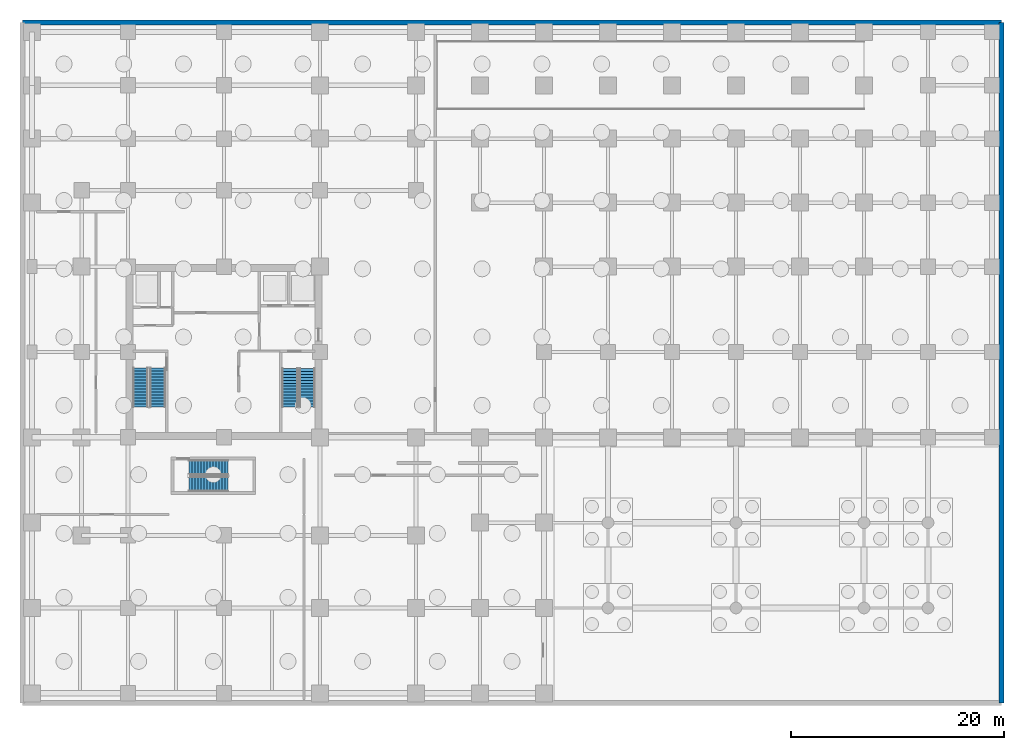
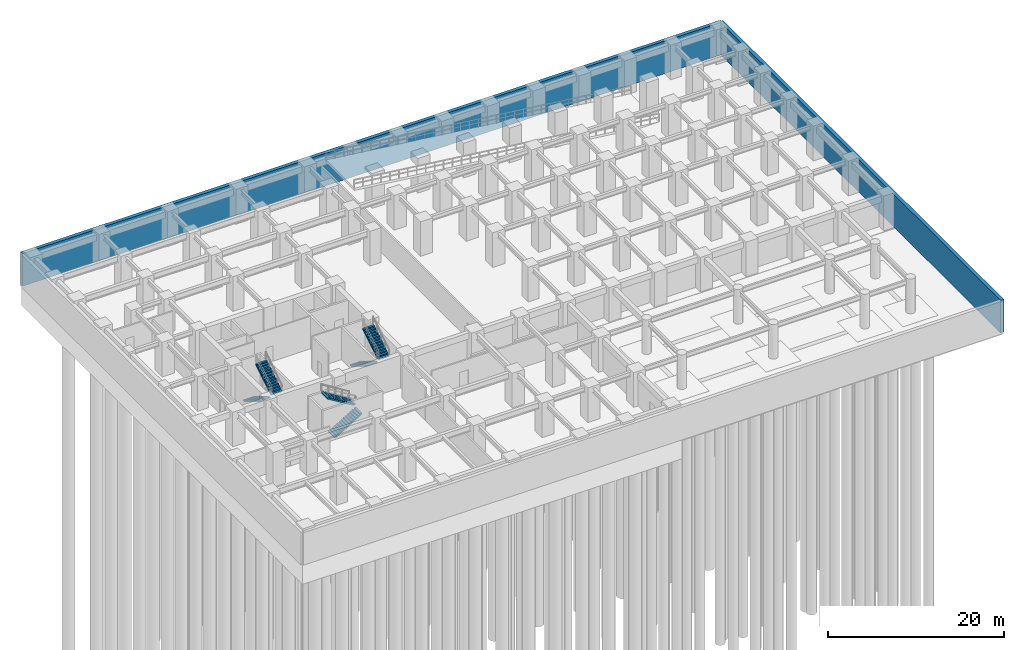
# One storey, part 8 of 11: 6 stair flights, 2 walls, 3 elements without a shape of their own.
"""IFC4 building model written with IfcOpenShell, lengths in metres."""

from ifc_helpers import new_model, si_unit, direction, frame, frame_2d, origin, place, context, subcontext, project, spatial, polyline, rectangle, outline, extrude, material, layer, layer_set, type_object, element, aggregate, save


model = new_model("IFC4")

# Units and contexts
model_context = context("Model", 3, precision=1e-05, world=origin(), true_north=direction((0.0, 1.0)))
body_context = subcontext(model_context, "Body", "Model", "MODEL_VIEW")
ifc_project = project(units=[si_unit("LENGTHUNIT", "METRE"), si_unit("AREAUNIT", "SQUARE_METRE"), si_unit("VOLUMEUNIT", "CUBIC_METRE"), si_unit("PLANEANGLEUNIT", "RADIAN"), si_unit("MASSUNIT", "GRAM", prefix="KILO")], contexts=[model_context])

# Site, building, storey
site_placement = place(None, origin())
site = spatial("IfcSite", under=ifc_project, at=site_placement, CompositionType="ELEMENT")
building_placement = place(site_placement, origin())
building = spatial("IfcBuilding", under=site, at=building_placement, Name="Torre Montelarca", CompositionType="ELEMENT")
storey_placement = place(building_placement, frame((0.0, 0.0, -9.60009765625)))
storey = spatial("IfcBuildingStorey", under=building, at=storey_placement, Name="B2", CompositionType="ELEMENT", Elevation=-9.60009765625)

# Walls
ifc_material = material(Name="Concrete C40/50", Category="concrete")
ifc_layer = layer(ifc_material, 0.449951171875, Name="Concrete C40/50", Category="concrete")
ifc_layer_set = layer_set([ifc_layer], Name="Concrete C40/50")
wall_type = type_object("IfcWallType", Name="EW-RET-450", PredefinedType="USERDEFINED", material=ifc_layer_set)
wall_1_placement = place(storey_placement, frame((90.89990234375, -0.89990234375, 0.0), z_axis=(0.0, 0.0, 1.0), x_axis=(0.0, 1.0, 0.0)))
element("IfcWall", 1, at=wall_1_placement, inside=storey, type_object=wall_type, Name="B2 Perimeter Basement Retaining Wall 02", ObjectType="RETAINING WALL", PredefinedType="USERDEFINED", context=body_context, shape_type="SweptSolid", body=[
    extrude(rectangle(XDim=63.7998046875, YDim=0.449951171875, at=frame_2d((31.89990234375, 0.0))), origin(), (0.0, 0.0, 1.0), 4.52001953125),
])
wall_2_placement = place(storey_placement, frame((90.89990234375, 62.89990234375, 0.0), z_axis=(0.0, 0.0, 1.0), x_axis=(-1.0, 0.0, 0.0)))
element("IfcWall", 2, at=wall_2_placement, inside=storey, type_object=wall_type, Name="B2 Perimeter Basement Retaining Wall 03", ObjectType="RETAINING WALL", PredefinedType="USERDEFINED", context=body_context, shape_type="SweptSolid", body=[
    extrude(rectangle(XDim=91.7998046875, YDim=0.449951171875, at=frame_2d((45.89990234375, 0.0))), origin(), (0.0, 0.0, 1.0), 4.52001953125),
])

# Stair, stair flights
stair_type_1 = type_object("IfcStairType", Name="ST-CORE-ST1", PredefinedType="HALF_TURN_STAIR", material=ifc_material)
stair_1_placement = place(storey_placement, origin())
stair_1 = element("IfcStair", 3, at=stair_1_placement, inside=storey, type_object=stair_type_1, Name="B2 Protected Exit Stair ST1", PredefinedType="HALF_TURN_STAIR")
stair_flight_type_1 = type_object("IfcStairFlightType", Name="SFL-CORE-ST1", PredefinedType="STRAIGHT", material=ifc_material)
stair_flight_1_placement = place(storey_placement, frame((10.175048828125, 30.5, 0.0), z_axis=(0.0, 0.0, 1.0), x_axis=(0.0, -1.0, 0.0)))
stair_flight_1 = element("IfcStairFlight", 4, at=stair_flight_1_placement, type_object=stair_flight_type_1, Name="ST1 flight 1", NumberOfRisers=14, NumberOfTreads=13, PredefinedType="STRAIGHT", RiserHeight=0.171428571, TreadLength=0.28, context=body_context, shape_type="SweptSolid", body=[
    extrude(outline(polyline([(0.0, 0.0), (0.0, 0.17138671875), (0.280029296875, 0.17138671875), (0.280029296875, 0.3427734375), (0.56005859375, 0.3427734375), (0.56005859375, 0.514404296875), (0.840087890625, 0.514404296875), (0.840087890625, 0.685791015625), (1.1201171875, 0.685791015625), (1.1201171875, 0.857177734375), (1.39990234375, 0.857177734375), (1.39990234375, 1.028564453125), (1.679931640625, 1.028564453125), (1.679931640625, 1.199951171875), (1.9599609375, 1.199951171875), (1.9599609375, 1.371337890625), (2.239990234375, 1.371337890625), (2.239990234375, 1.54296875), (2.52001953125, 1.54296875), (2.52001953125, 1.71435546875), (2.800048828125, 1.71435546875), (2.800048828125, 1.8857421875), (3.080078125, 1.8857421875), (3.080078125, 2.05712890625), (3.360107421875, 2.05712890625), (3.360107421875, 2.228515625), (3.639892578125, 2.228515625), (3.639892578125, 2.39990234375), (3.639892578125, 2.052734375), (0.287109375, 0.0), (0.0, 0.0)])), frame((0.0, 0.72509765625, 0.0), z_axis=(0.0, -1.0, 0.0), x_axis=(1.0, 0.0, 0.0)), (0.0, 0.0, 1.0), 1.449951171875),
])
stair_flight_2_placement = place(storey_placement, frame((11.77490234375, 26.860107421875, 2.400146484375), z_axis=(0.0, 0.0, 1.0), x_axis=(0.0, 1.0, 0.0)))
stair_flight_2 = element("IfcStairFlight", 5, at=stair_flight_2_placement, type_object=stair_flight_type_1, Name="ST1 flight 2", NumberOfRisers=14, NumberOfTreads=13, PredefinedType="STRAIGHT", RiserHeight=0.171428571, TreadLength=0.28, context=body_context, shape_type="SweptSolid", body=[
    extrude(outline(polyline([(0.0, 0.0), (0.0, 0.17138671875), (0.280029296875, 0.17138671875), (0.280029296875, 0.3427734375), (0.56005859375, 0.3427734375), (0.56005859375, 0.514404296875), (0.840087890625, 0.514404296875), (0.840087890625, 0.685791015625), (1.1201171875, 0.685791015625), (1.1201171875, 0.857177734375), (1.39990234375, 0.857177734375), (1.39990234375, 1.028564453125), (1.679931640625, 1.028564453125), (1.679931640625, 1.199951171875), (1.9599609375, 1.199951171875), (1.9599609375, 1.371337890625), (2.239990234375, 1.371337890625), (2.239990234375, 1.54296875), (2.52001953125, 1.54296875), (2.52001953125, 1.71435546875), (2.800048828125, 1.71435546875), (2.800048828125, 1.8857421875), (3.080078125, 1.8857421875), (3.080078125, 2.05712890625), (3.360107421875, 2.05712890625), (3.360107421875, 2.228515625), (3.639892578125, 2.228515625), (3.639892578125, 2.39990234375), (3.639892578125, 2.052734375), (0.287109375, 0.0), (0.0, 0.0)])), frame((0.0, 0.72509765625, 0.0), z_axis=(0.0, -1.0, 0.0), x_axis=(1.0, 0.0, 0.0)), (0.0, 0.0, 1.0), 1.449951171875),
])
aggregate(stair_1, [stair_flight_1, stair_flight_2])

stair_type_2 = type_object("IfcStairType", Name="ST-CORE-ST2", PredefinedType="HALF_TURN_STAIR", material=ifc_material)
stair_2_placement = place(storey_placement, origin())
stair_2 = element("IfcStair", 6, at=stair_2_placement, inside=storey, type_object=stair_type_2, Name="B2 Protected Exit Stair ST2", PredefinedType="HALF_TURN_STAIR")
stair_flight_type_2 = type_object("IfcStairFlightType", Name="SFL-CORE-ST2", PredefinedType="STRAIGHT", material=ifc_material)
stair_flight_3_placement = place(storey_placement, frame((24.179931640625, 30.469970703125, 0.0), z_axis=(0.0, 0.0, 1.0), x_axis=(0.0, -1.0, 0.0)))
stair_flight_3 = element("IfcStairFlight", 7, at=stair_flight_3_placement, type_object=stair_flight_type_2, Name="ST2 flight 1", NumberOfRisers=14, NumberOfTreads=13, PredefinedType="STRAIGHT", RiserHeight=0.171428571, TreadLength=0.28, context=body_context, shape_type="SweptSolid", body=[
    extrude(outline(polyline([(0.0, 0.0), (0.0, 0.17138671875), (0.280029296875, 0.17138671875), (0.280029296875, 0.3427734375), (0.56005859375, 0.3427734375), (0.56005859375, 0.514404296875), (0.840087890625, 0.514404296875), (0.840087890625, 0.685791015625), (1.1201171875, 0.685791015625), (1.1201171875, 0.857177734375), (1.39990234375, 0.857177734375), (1.39990234375, 1.028564453125), (1.679931640625, 1.028564453125), (1.679931640625, 1.199951171875), (1.9599609375, 1.199951171875), (1.9599609375, 1.371337890625), (2.239990234375, 1.371337890625), (2.239990234375, 1.54296875), (2.52001953125, 1.54296875), (2.52001953125, 1.71435546875), (2.800048828125, 1.71435546875), (2.800048828125, 1.8857421875), (3.080078125, 1.8857421875), (3.080078125, 2.05712890625), (3.360107421875, 2.05712890625), (3.360107421875, 2.228515625), (3.639892578125, 2.228515625), (3.639892578125, 2.39990234375), (3.639892578125, 2.052734375), (0.287109375, 0.0), (0.0, 0.0)])), frame((0.0, 0.739990234375, 0.0), z_axis=(0.0, -1.0, 0.0), x_axis=(1.0, 0.0, 0.0)), (0.0, 0.0, 1.0), 1.47998046875),
])
stair_flight_4_placement = place(storey_placement, frame((25.81005859375, 26.830078125, 2.400146484375), z_axis=(0.0, 0.0, 1.0), x_axis=(0.0, 1.0, 0.0)))
stair_flight_4 = element("IfcStairFlight", 8, at=stair_flight_4_placement, type_object=stair_flight_type_2, Name="ST2 flight 2", NumberOfRisers=14, NumberOfTreads=13, PredefinedType="STRAIGHT", RiserHeight=0.171428571, TreadLength=0.28, context=body_context, shape_type="SweptSolid", body=[
    extrude(outline(polyline([(0.0, 0.0), (0.0, 0.17138671875), (0.280029296875, 0.17138671875), (0.280029296875, 0.3427734375), (0.56005859375, 0.3427734375), (0.56005859375, 0.514404296875), (0.840087890625, 0.514404296875), (0.840087890625, 0.685791015625), (1.1201171875, 0.685791015625), (1.1201171875, 0.857177734375), (1.39990234375, 0.857177734375), (1.39990234375, 1.028564453125), (1.679931640625, 1.028564453125), (1.679931640625, 1.199951171875), (1.9599609375, 1.199951171875), (1.9599609375, 1.371337890625), (2.239990234375, 1.371337890625), (2.239990234375, 1.54296875), (2.52001953125, 1.54296875), (2.52001953125, 1.71435546875), (2.800048828125, 1.71435546875), (2.800048828125, 1.8857421875), (3.080078125, 1.8857421875), (3.080078125, 2.05712890625), (3.360107421875, 2.05712890625), (3.360107421875, 2.228515625), (3.639892578125, 2.228515625), (3.639892578125, 2.39990234375), (3.639892578125, 2.052734375), (0.287109375, 0.0), (0.0, 0.0)])), frame((0.0, 0.739990234375, 0.0), z_axis=(0.0, -1.0, 0.0), x_axis=(1.0, 0.0, 0.0)), (0.0, 0.0, 1.0), 1.47998046875),
])
aggregate(stair_2, [stair_flight_3, stair_flight_4])

stair_type_3 = type_object("IfcStairType", Name="ST-CORE-ST3", PredefinedType="HALF_TURN_STAIR", material=ifc_material)
stair_3_placement = place(storey_placement, origin())
stair_3 = element("IfcStair", 9, at=stair_3_placement, inside=storey, type_object=stair_type_3, Name="B2 Low-Rise Exit Stair ST3", PredefinedType="HALF_TURN_STAIR")
stair_flight_type_3 = type_object("IfcStairFlightType", Name="SFL-CORE-ST3", PredefinedType="STRAIGHT", material=ifc_material)
stair_flight_5_placement = place(storey_placement, frame((14.719970703125, 19.610107421875, 0.0), z_axis=(0.0, 0.0, 1.0), x_axis=(1.0, 0.0, 0.0)))
stair_flight_5 = element("IfcStairFlight", 10, at=stair_flight_5_placement, type_object=stair_flight_type_3, Name="ST3 flight 1", NumberOfRisers=14, NumberOfTreads=13, PredefinedType="STRAIGHT", RiserHeight=0.171428571, TreadLength=0.28, context=body_context, shape_type="SweptSolid", body=[
    extrude(outline(polyline([(0.0, 0.0), (0.0, 0.17138671875), (0.280029296875, 0.17138671875), (0.280029296875, 0.3427734375), (0.56005859375, 0.3427734375), (0.56005859375, 0.514404296875), (0.840087890625, 0.514404296875), (0.840087890625, 0.685791015625), (1.1201171875, 0.685791015625), (1.1201171875, 0.857177734375), (1.39990234375, 0.857177734375), (1.39990234375, 1.028564453125), (1.679931640625, 1.028564453125), (1.679931640625, 1.199951171875), (1.9599609375, 1.199951171875), (1.9599609375, 1.371337890625), (2.239990234375, 1.371337890625), (2.239990234375, 1.54296875), (2.52001953125, 1.54296875), (2.52001953125, 1.71435546875), (2.800048828125, 1.71435546875), (2.800048828125, 1.8857421875), (3.080078125, 1.8857421875), (3.080078125, 2.05712890625), (3.360107421875, 2.05712890625), (3.360107421875, 2.228515625), (3.639892578125, 2.228515625), (3.639892578125, 2.39990234375), (3.639892578125, 2.052734375), (0.287109375, 0.0), (0.0, 0.0)])), frame((0.0, 0.7099609375, 0.0), z_axis=(0.0, -1.0, 0.0), x_axis=(1.0, 0.0, 0.0)), (0.0, 0.0, 1.0), 1.419921875),
])
stair_flight_6_placement = place(storey_placement, frame((18.360107421875, 21.179931640625, 2.400146484375), z_axis=(0.0, 0.0, 1.0), x_axis=(-1.0, 0.0, 0.0)))
stair_flight_6 = element("IfcStairFlight", 11, at=stair_flight_6_placement, type_object=stair_flight_type_3, Name="ST3 flight 2", NumberOfRisers=14, NumberOfTreads=13, PredefinedType="STRAIGHT", RiserHeight=0.171428571, TreadLength=0.28, context=body_context, shape_type="SweptSolid", body=[
    extrude(outline(polyline([(0.0, 0.0), (0.0, 0.17138671875), (0.280029296875, 0.17138671875), (0.280029296875, 0.3427734375), (0.56005859375, 0.3427734375), (0.56005859375, 0.514404296875), (0.840087890625, 0.514404296875), (0.840087890625, 0.685791015625), (1.1201171875, 0.685791015625), (1.1201171875, 0.857177734375), (1.39990234375, 0.857177734375), (1.39990234375, 1.028564453125), (1.679931640625, 1.028564453125), (1.679931640625, 1.199951171875), (1.9599609375, 1.199951171875), (1.9599609375, 1.371337890625), (2.239990234375, 1.371337890625), (2.239990234375, 1.54296875), (2.52001953125, 1.54296875), (2.52001953125, 1.71435546875), (2.800048828125, 1.71435546875), (2.800048828125, 1.8857421875), (3.080078125, 1.8857421875), (3.080078125, 2.05712890625), (3.360107421875, 2.05712890625), (3.360107421875, 2.228515625), (3.639892578125, 2.228515625), (3.639892578125, 2.39990234375), (3.639892578125, 2.052734375), (0.287109375, 0.0), (0.0, 0.0)])), frame((0.0, 0.7099609375, 0.0), z_axis=(0.0, -1.0, 0.0), x_axis=(1.0, 0.0, 0.0)), (0.0, 0.0, 1.0), 1.419921875),
])
aggregate(stair_3, [stair_flight_5, stair_flight_6])

save(model, "model.ifc")
